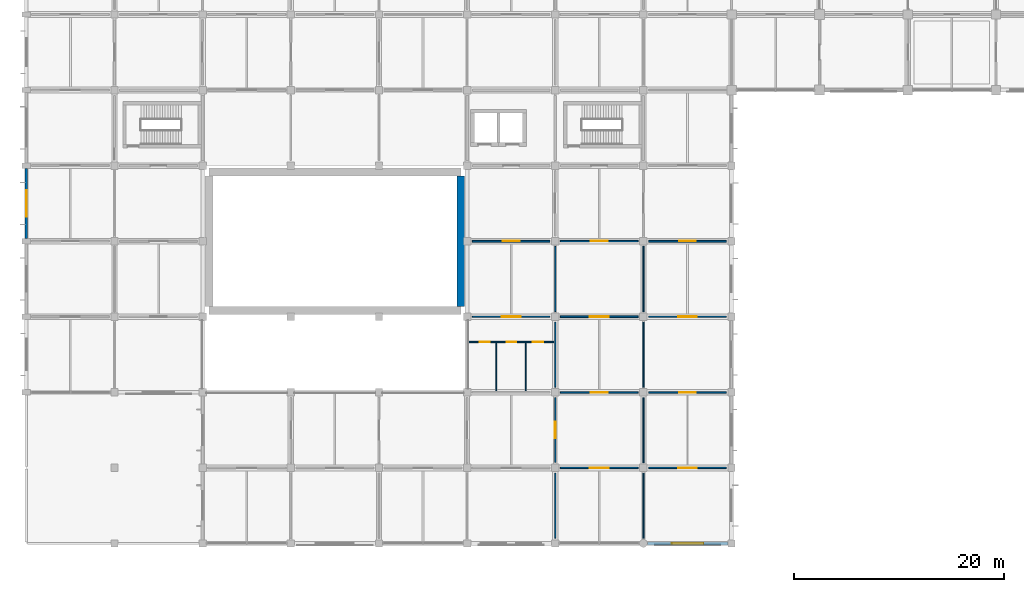
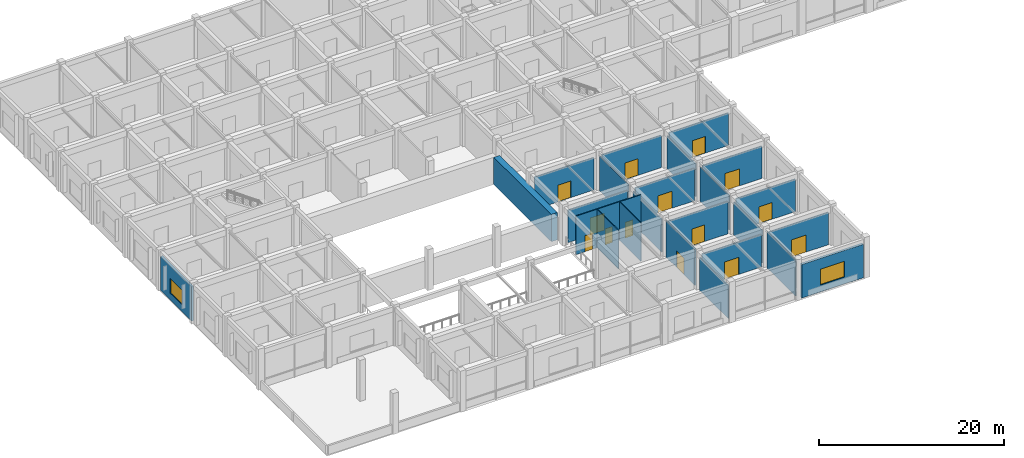
# One storey, part 19 of 41: 24 walls, 14 doors, 2 windows, 16 openings.
"""IFC4 building model written with IfcOpenShell, lengths in metres."""

from ifc_helpers import new_model, si_unit, derived_unit, direction, frame, frame_2d, origin, place, context, subcontext, project, spatial, rectangle, extrude, material, layer, layer_set, type_object, element, fill, save


model = new_model("IFC4")

# Units and contexts
model_context = context("Model", 3, precision=1e-05, world=origin(), true_north=direction((0.0, 1.0)))
body_context = subcontext(model_context, "Body", "Model", "MODEL_VIEW")
ifc_project = project(units=[si_unit("LENGTHUNIT", "METRE"), si_unit("AREAUNIT", "SQUARE_METRE"), si_unit("VOLUMEUNIT", "CUBIC_METRE"), si_unit("PLANEANGLEUNIT", "RADIAN"), si_unit("MASSUNIT", "GRAM", prefix="KILO"), derived_unit("THERMALTRANSMITTANCEUNIT", [(si_unit("MASSUNIT", "GRAM", prefix="KILO"), 1), (si_unit("TIMEUNIT", "SECOND"), -3), (si_unit("THERMODYNAMICTEMPERATUREUNIT", "KELVIN"), -1)])], contexts=[model_context])

# Site, building, storey
site_placement = place(None, origin())
site = spatial("IfcSite", under=ifc_project, at=site_placement, CompositionType="ELEMENT")
building_placement = place(site_placement, origin())
building = spatial("IfcBuilding", under=site, at=building_placement, Name="Veldstrom Oceanarium and Marine Research Institute", CompositionType="ELEMENT")
storey_placement = place(building_placement, frame((0.0, 0.0, 6.0)))
storey = spatial("IfcBuildingStorey", under=building, at=storey_placement, Name="L01", CompositionType="ELEMENT", Elevation=6.0)

# Wall, opening, window
ifc_material_1 = material(Name="Masonry Cavity Wall", Category="masonry")
ifc_layer_1 = layer(ifc_material_1, 0.2900390625)
ifc_layer_set_1 = layer_set([ifc_layer_1], Name="ARC-WAL-EW2")
wall_type_1 = type_object("IfcWallType", Name="ARC-WAL-EW2", PredefinedType="SOLIDWALL", material=ifc_layer_set_1)
wall_1_placement = place(storey_placement, frame((59.175048828125, 0.0, 0.0), z_axis=(0.0, 0.0, 1.0), x_axis=(1.0, 0.0, 0.0)))
wall_1 = element("IfcWall", 1, at=wall_1_placement, inside=storey, type_object=wall_type_1, Name="Exterior Facade Wall EW2 L01-083", PredefinedType="SOLIDWALL", context=body_context, shape_type="SweptSolid", body=[
    extrude(rectangle(XDim=7.675048828125, YDim=0.2900390625, at=frame_2d((3.83740234375, 0.0))), origin(), (0.0, 0.0, 1.0), 4.419921875),
])
opening_1_placement = place(wall_1_placement, frame((2.33740234375, 0.0, 0.89990234375)))
opening_1 = element("IfcOpeningElement", 2, at=opening_1_placement, cuts=wall_1, Name="Opening W07", PredefinedType="OPENING", context=body_context, shape_type="SweptSolid", body=[
    extrude(rectangle(XDim=3.0, YDim=2.10009765625, at=frame_2d((1.5, 1.050048828125))), frame((0.0, 0.155029296875, 0.0), z_axis=(0.0, -1.0, 0.0), x_axis=(1.0, 0.0, 0.0)), (0.0, 0.0, 1.0), 0.31005859375),
])
ifc_material_2 = material(Name="Double Glazed Low-E IGU", Category="glass")
window_type_1 = type_object("IfcWindowType", Name="ARC-WIN-W07", PartitioningType="SINGLE_PANEL", PredefinedType="WINDOW", material=ifc_material_2)
window_1_placement = place(opening_1_placement, origin())
window_1 = element("IfcWindow", 3, at=window_1_placement, inside=storey, type_object=window_type_1, Name="Facade Window W07 L01-0052", OverallHeight=2.10009765625, OverallWidth=3.0, PartitioningType="SINGLE_PANEL", PredefinedType="WINDOW", context=body_context, shape_type="SweptSolid", body=[
    extrude(rectangle(XDim=3.0, YDim=2.10009765625, at=frame_2d((1.5, 1.050048828125))), frame((0.0, 0.030029296875, 0.0), z_axis=(0.0, -1.0, 0.0), x_axis=(1.0, 0.0, 0.0)), (0.0, 0.0, 1.0), 0.06005859375),
])
fill(opening_1, window_1)

ifc_material_3 = material(Name="Masonry Cavity Wall", Category="masonry")
ifc_layer_2 = layer(ifc_material_3, 0.25)
ifc_layer_set_2 = layer_set([ifc_layer_2], Name="ARC-WAL-EW5")
wall_type_2 = type_object("IfcWallType", Name="ARC-WAL-EW5", PredefinedType="SOLIDWALL", material=ifc_layer_set_2)
wall_2_placement = place(storey_placement, frame((0.0, 29.050048828125, 0.0), z_axis=(0.0, 0.0, 1.0), x_axis=(0.0, 1.0, 0.0)))
wall_2 = element("IfcWall", 4, at=wall_2_placement, inside=storey, type_object=wall_type_2, Name="Exterior Facade Wall EW5 L01-065", PredefinedType="SOLIDWALL", context=body_context, shape_type="SweptSolid", body=[
    extrude(rectangle(XDim=6.699951171875, YDim=0.25, at=frame_2d((3.35009765625, 0.0))), origin(), (0.0, 0.0, 1.0), 4.52001953125),
])
opening_2_placement = place(wall_2_placement, frame((2.074951171875, 0.0, 0.89990234375)))
opening_2 = element("IfcOpeningElement", 5, at=opening_2_placement, cuts=wall_2, Name="Opening W20", PredefinedType="OPENING", context=body_context, shape_type="SweptSolid", body=[
    extrude(rectangle(XDim=2.550048828125, YDim=1.949951171875, at=frame_2d((1.27490234375, 0.97509765625))), frame((0.0, 0.135009765625, 0.0), z_axis=(0.0, -1.0, 0.0), x_axis=(1.0, 0.0, 0.0)), (0.0, 0.0, 1.0), 0.27001953125),
])
ifc_material_4 = material(Name="Double Glazed Low-E IGU", Category="glass")
window_type_2 = type_object("IfcWindowType", Name="ARC-WIN-W20", PartitioningType="SINGLE_PANEL", PredefinedType="WINDOW", material=ifc_material_4)
window_2_placement = place(opening_2_placement, origin())
window_2 = element("IfcWindow", 6, at=window_2_placement, inside=storey, type_object=window_type_2, Name="Facade Window W20 L01-0037", OverallHeight=1.949951171875, OverallWidth=2.550048828125, PartitioningType="SINGLE_PANEL", PredefinedType="WINDOW", context=body_context, shape_type="SweptSolid", body=[
    extrude(rectangle(XDim=2.550048828125, YDim=1.949951171875, at=frame_2d((1.27490234375, 0.97509765625))), frame((0.0, 0.030029296875, 0.0), z_axis=(0.0, -1.0, 0.0), x_axis=(1.0, 0.0, 0.0)), (0.0, 0.0, 1.0), 0.06005859375),
])
fill(opening_2, window_2)

# Wall, opening, door
ifc_material_5 = material(Name="Drywall Corridor Partition", Category="gypsum")
ifc_layer_3 = layer(ifc_material_5, 0.155029296875)
ifc_layer_set_3 = layer_set([ifc_layer_3], Name="ARC-WAL-PT4")
wall_type_3 = type_object("IfcWallType", Name="ARC-WAL-PT4", PredefinedType="PARTITIONING", material=ifc_layer_set_3)
wall_3_placement = place(storey_placement, frame((50.39990234375, 7.699951171875, 0.0), z_axis=(0.0, 0.0, 1.0), x_axis=(0.0, 1.0, 0.0)))
wall_3 = element("IfcWall", 7, at=wall_3_placement, inside=storey, type_object=wall_type_3, Name="Interior Partition PT4 L01-0894", PredefinedType="PARTITIONING", context=body_context, shape_type="SweptSolid", body=[
    extrude(rectangle(XDim=6.199951171875, YDim=0.155029296875, at=frame_2d((3.10009765625, 0.0))), origin(), (0.0, 0.0, 1.0), 4.780029296875),
])
opening_3_placement = place(wall_3_placement, frame((2.300048828125, 0.0, 0.0)))
opening_3 = element("IfcOpeningElement", 8, at=opening_3_placement, cuts=wall_3, Name="Opening D-L01-517", PredefinedType="OPENING", context=body_context, shape_type="SweptSolid", body=[
    extrude(rectangle(XDim=1.60009765625, YDim=2.199951171875, at=frame_2d((0.800048828125, 1.10009765625))), frame((0.0, 0.08740234375, 0.0), z_axis=(0.0, -1.0, 0.0), x_axis=(1.0, 0.0, 0.0)), (0.0, 0.0, 1.0), 0.175048828125),
])
ifc_material_6 = material(Name="Acoustic Timber Corridor Door", Category="wood")
door_type_1 = type_object("IfcDoorType", Name="ARC-DOR-ID02", OperationType="DOUBLE_DOOR_SINGLE_SWING", PredefinedType="DOOR", material=ifc_material_6)
door_1_placement = place(opening_3_placement, origin())
door_1 = element("IfcDoor", 9, at=door_1_placement, inside=storey, type_object=door_type_1, Name="Interior Door D-L01-517", OperationType="DOUBLE_DOOR_SINGLE_SWING", OverallHeight=2.199951171875, OverallWidth=1.60009765625, PredefinedType="DOOR", context=body_context, shape_type="SweptSolid", body=[
    extrude(rectangle(XDim=1.60009765625, YDim=2.199951171875, at=frame_2d((0.800048828125, 1.10009765625))), frame((0.0, 0.02490234375, 0.0), z_axis=(0.0, -1.0, 0.0), x_axis=(1.0, 0.0, 0.0)), (0.0, 0.0, 1.0), 0.050048828125),
])
fill(opening_3, door_1)

wall_4_placement = place(storey_placement, frame((42.5, 28.800048828125, 0.0), z_axis=(0.0, 0.0, 1.0), x_axis=(1.0, 0.0, 0.0)))
wall_4 = element("IfcWall", 10, at=wall_4_placement, inside=storey, type_object=wall_type_3, Name="Interior Partition PT4 L01-0899", PredefinedType="PARTITIONING", context=body_context, shape_type="SweptSolid", body=[
    extrude(rectangle(XDim=7.39990234375, YDim=0.155029296875, at=frame_2d((3.699951171875, 0.0))), origin(), (0.0, 0.0, 1.0), 4.27001953125),
])
opening_4_placement = place(wall_4_placement, frame((2.89990234375, 0.0, 0.0)))
opening_4 = element("IfcOpeningElement", 11, at=opening_4_placement, cuts=wall_4, Name="Opening D-L01-519", PredefinedType="OPENING", context=body_context, shape_type="SweptSolid", body=[
    extrude(rectangle(XDim=1.60009765625, YDim=2.199951171875, at=frame_2d((0.800048828125, 1.10009765625))), frame((0.0, 0.08740234375, 0.0), z_axis=(0.0, -1.0, 0.0), x_axis=(1.0, 0.0, 0.0)), (0.0, 0.0, 1.0), 0.175048828125),
])
door_2_placement = place(opening_4_placement, frame((1.60009765625, 0.0, 0.0), z_axis=(0.0, 0.0, 1.0), x_axis=(-1.0, 0.0, 0.0)))
door_2 = element("IfcDoor", 12, at=door_2_placement, inside=storey, type_object=door_type_1, Name="Interior Door D-L01-519", OperationType="DOUBLE_DOOR_SINGLE_SWING", OverallHeight=2.199951171875, OverallWidth=1.60009765625, PredefinedType="DOOR", context=body_context, shape_type="SweptSolid", body=[
    extrude(rectangle(XDim=1.60009765625, YDim=2.199951171875, at=frame_2d((0.800048828125, 1.10009765625))), frame((0.0, 0.02490234375, 0.0), z_axis=(0.0, -1.0, 0.0), x_axis=(1.0, 0.0, 0.0)), (0.0, 0.0, 1.0), 0.050048828125),
])
fill(opening_4, door_2)

wall_5_placement = place(storey_placement, frame((50.89990234375, 7.199951171875, 0.0), z_axis=(0.0, 0.0, 1.0), x_axis=(1.0, 0.0, 0.0)))
wall_5 = element("IfcWall", 13, at=wall_5_placement, inside=storey, type_object=wall_type_3, Name="Interior Partition PT4 L01-0912", PredefinedType="PARTITIONING", context=body_context, shape_type="SweptSolid", body=[
    extrude(rectangle(XDim=7.400146484375, YDim=0.155029296875, at=frame_2d((3.7001953125, 0.0))), origin(), (0.0, 0.0, 1.0), 4.27001953125),
])
opening_5_placement = place(wall_5_placement, frame((2.800048828125, 0.0, 0.0)))
opening_5 = element("IfcOpeningElement", 14, at=opening_5_placement, cuts=wall_5, Name="Opening D-L01-526", PredefinedType="OPENING", context=body_context, shape_type="SweptSolid", body=[
    extrude(rectangle(XDim=1.800048828125, YDim=2.25, at=frame_2d((0.89990234375, 1.125))), frame((0.0, 0.08740234375, 0.0), z_axis=(0.0, -1.0, 0.0), x_axis=(1.0, 0.0, 0.0)), (0.0, 0.0, 1.0), 0.175048828125),
])
ifc_material_7 = material(Name="Acoustic Timber Gallery Door", Category="wood")
door_type_2 = type_object("IfcDoorType", Name="ARC-DOR-ID01", OperationType="DOUBLE_DOOR_SINGLE_SWING", PredefinedType="DOOR", material=ifc_material_7)
door_3_placement = place(opening_5_placement, frame((1.800048828125, 0.0, 0.0), z_axis=(0.0, 0.0, 1.0), x_axis=(-1.0, 0.0, 0.0)))
door_3 = element("IfcDoor", 15, at=door_3_placement, inside=storey, type_object=door_type_2, Name="Interior Door D-L01-526", OperationType="DOUBLE_DOOR_SINGLE_SWING", OverallHeight=2.25, OverallWidth=1.800048828125, PredefinedType="DOOR", context=body_context, shape_type="SweptSolid", body=[
    extrude(rectangle(XDim=1.800048828125, YDim=2.25, at=frame_2d((0.89990234375, 1.125))), frame((0.0, 0.02490234375, 0.0), z_axis=(0.0, -1.0, 0.0), x_axis=(1.0, 0.0, 0.0)), (0.0, 0.0, 1.0), 0.050048828125),
])
fill(opening_5, door_3)

wall_6_placement = place(storey_placement, frame((50.89990234375, 21.60009765625, 0.0), z_axis=(0.0, 0.0, 1.0), x_axis=(1.0, 0.0, 0.0)))
wall_6 = element("IfcWall", 16, at=wall_6_placement, inside=storey, type_object=wall_type_3, Name="Interior Partition PT4 L01-0916", PredefinedType="PARTITIONING", context=body_context, shape_type="SweptSolid", body=[
    extrude(rectangle(XDim=7.400146484375, YDim=0.155029296875, at=frame_2d((3.7001953125, 0.0))), origin(), (0.0, 0.0, 1.0), 4.27001953125),
])
opening_6_placement = place(wall_6_placement, frame((2.800048828125, 0.0, 0.0)))
opening_6 = element("IfcOpeningElement", 17, at=opening_6_placement, cuts=wall_6, Name="Opening D-L01-528", PredefinedType="OPENING", context=body_context, shape_type="SweptSolid", body=[
    extrude(rectangle(XDim=1.800048828125, YDim=2.25, at=frame_2d((0.89990234375, 1.125))), frame((0.0, 0.08740234375, 0.0), z_axis=(0.0, -1.0, 0.0), x_axis=(1.0, 0.0, 0.0)), (0.0, 0.0, 1.0), 0.175048828125),
])
door_4_placement = place(opening_6_placement, frame((1.800048828125, 0.0, 0.0), z_axis=(0.0, 0.0, 1.0), x_axis=(-1.0, 0.0, 0.0)))
door_4 = element("IfcDoor", 18, at=door_4_placement, inside=storey, type_object=door_type_2, Name="Interior Door D-L01-528", OperationType="DOUBLE_DOOR_SINGLE_SWING", OverallHeight=2.25, OverallWidth=1.800048828125, PredefinedType="DOOR", context=body_context, shape_type="SweptSolid", body=[
    extrude(rectangle(XDim=1.800048828125, YDim=2.25, at=frame_2d((0.89990234375, 1.125))), frame((0.0, 0.02490234375, 0.0), z_axis=(0.0, -1.0, 0.0), x_axis=(1.0, 0.0, 0.0)), (0.0, 0.0, 1.0), 0.050048828125),
])
fill(opening_6, door_4)

wall_7_placement = place(storey_placement, frame((59.300048828125, 14.39990234375, 0.0), z_axis=(0.0, 0.0, 1.0), x_axis=(1.0, 0.0, 0.0)))
wall_7 = element("IfcWall", 19, at=wall_7_placement, inside=storey, type_object=wall_type_3, Name="Interior Partition PT4 L01-0931", PredefinedType="PARTITIONING", context=body_context, shape_type="SweptSolid", body=[
    extrude(rectangle(XDim=7.39990234375, YDim=0.155029296875, at=frame_2d((3.699951171875, 0.0))), origin(), (0.0, 0.0, 1.0), 4.27001953125),
])
opening_7_placement = place(wall_7_placement, frame((2.89990234375, 0.0, 0.0)))
opening_7 = element("IfcOpeningElement", 20, at=opening_7_placement, cuts=wall_7, Name="Opening D-L01-537", PredefinedType="OPENING", context=body_context, shape_type="SweptSolid", body=[
    extrude(rectangle(XDim=1.60009765625, YDim=2.199951171875, at=frame_2d((0.800048828125, 1.10009765625))), frame((0.0, 0.08740234375, 0.0), z_axis=(0.0, -1.0, 0.0), x_axis=(1.0, 0.0, 0.0)), (0.0, 0.0, 1.0), 0.175048828125),
])
door_5_placement = place(opening_7_placement, frame((1.60009765625, 0.0, 0.0), z_axis=(0.0, 0.0, 1.0), x_axis=(-1.0, 0.0, 0.0)))
door_5 = element("IfcDoor", 21, at=door_5_placement, inside=storey, type_object=door_type_1, Name="Interior Door D-L01-537", OperationType="DOUBLE_DOOR_SINGLE_SWING", OverallHeight=2.199951171875, OverallWidth=1.60009765625, PredefinedType="DOOR", context=body_context, shape_type="SweptSolid", body=[
    extrude(rectangle(XDim=1.60009765625, YDim=2.199951171875, at=frame_2d((0.800048828125, 1.10009765625))), frame((0.0, 0.02490234375, 0.0), z_axis=(0.0, -1.0, 0.0), x_axis=(1.0, 0.0, 0.0)), (0.0, 0.0, 1.0), 0.050048828125),
])
fill(opening_7, door_5)

wall_8_placement = place(storey_placement, frame((59.300048828125, 28.800048828125, 0.0), z_axis=(0.0, 0.0, 1.0), x_axis=(1.0, 0.0, 0.0)))
wall_8 = element("IfcWall", 22, at=wall_8_placement, inside=storey, type_object=wall_type_3, Name="Interior Partition PT4 L01-0933", PredefinedType="PARTITIONING", context=body_context, shape_type="SweptSolid", body=[
    extrude(rectangle(XDim=7.39990234375, YDim=0.155029296875, at=frame_2d((3.699951171875, 0.0))), origin(), (0.0, 0.0, 1.0), 4.27001953125),
])
opening_8_placement = place(wall_8_placement, frame((2.89990234375, 0.0, 0.0)))
opening_8 = element("IfcOpeningElement", 23, at=opening_8_placement, cuts=wall_8, Name="Opening D-L01-539", PredefinedType="OPENING", context=body_context, shape_type="SweptSolid", body=[
    extrude(rectangle(XDim=1.60009765625, YDim=2.199951171875, at=frame_2d((0.800048828125, 1.10009765625))), frame((0.0, 0.08740234375, 0.0), z_axis=(0.0, -1.0, 0.0), x_axis=(1.0, 0.0, 0.0)), (0.0, 0.0, 1.0), 0.175048828125),
])
door_6_placement = place(opening_8_placement, frame((1.60009765625, 0.0, 0.0), z_axis=(0.0, 0.0, 1.0), x_axis=(-1.0, 0.0, 0.0)))
door_6 = element("IfcDoor", 24, at=door_6_placement, inside=storey, type_object=door_type_1, Name="Interior Door D-L01-539", OperationType="DOUBLE_DOOR_SINGLE_SWING", OverallHeight=2.199951171875, OverallWidth=1.60009765625, PredefinedType="DOOR", context=body_context, shape_type="SweptSolid", body=[
    extrude(rectangle(XDim=1.60009765625, YDim=2.199951171875, at=frame_2d((0.800048828125, 1.10009765625))), frame((0.0, 0.02490234375, 0.0), z_axis=(0.0, -1.0, 0.0), x_axis=(1.0, 0.0, 0.0)), (0.0, 0.0, 1.0), 0.050048828125),
])
fill(opening_8, door_6)

ifc_material_8 = material(Name="Moisture-Resistant Wet-Area Partition", Category="masonry")
ifc_layer_4 = layer(ifc_material_8, 0.139892578125)
ifc_layer_set_4 = layer_set([ifc_layer_4], Name="ARC-WAL-PT5")
wall_type_4 = type_object("IfcWallType", Name="ARC-WAL-PT5", PredefinedType="PARTITIONING", material=ifc_layer_set_4)
wall_9_placement = place(storey_placement, frame((42.5, 21.60009765625, 0.0), z_axis=(0.0, 0.0, 1.0), x_axis=(1.0, 0.0, 0.0)))
wall_9 = element("IfcWall", 25, at=wall_9_placement, inside=storey, type_object=wall_type_4, Name="Interior Partition PT5 L01-0897", PredefinedType="PARTITIONING", context=body_context, shape_type="SweptSolid", body=[
    extrude(rectangle(XDim=7.39990234375, YDim=0.139892578125, at=frame_2d((3.699951171875, 0.0))), origin(), (0.0, 0.0, 1.0), 4.27001953125),
])
opening_9_placement = place(wall_9_placement, frame((2.800048828125, 0.0, 0.0)))
opening_9 = element("IfcOpeningElement", 26, at=opening_9_placement, cuts=wall_9, Name="Opening D-L01-518", PredefinedType="OPENING", context=body_context, shape_type="SweptSolid", body=[
    extrude(rectangle(XDim=1.800048828125, YDim=2.25, at=frame_2d((0.89990234375, 1.125))), frame((0.0, 0.079833984375, 0.0), z_axis=(0.0, -1.0, 0.0), x_axis=(1.0, 0.0, 0.0)), (0.0, 0.0, 1.0), 0.159912109375),
])
door_7_placement = place(opening_9_placement, frame((1.800048828125, 0.0, 0.0), z_axis=(0.0, 0.0, 1.0), x_axis=(-1.0, 0.0, 0.0)))
door_7 = element("IfcDoor", 27, at=door_7_placement, inside=storey, type_object=door_type_2, Name="Interior Door D-L01-518", OperationType="DOUBLE_DOOR_SINGLE_SWING", OverallHeight=2.25, OverallWidth=1.800048828125, PredefinedType="DOOR", context=body_context, shape_type="SweptSolid", body=[
    extrude(rectangle(XDim=1.800048828125, YDim=2.25, at=frame_2d((0.89990234375, 1.125))), frame((0.0, 0.02490234375, 0.0), z_axis=(0.0, -1.0, 0.0), x_axis=(1.0, 0.0, 0.0)), (0.0, 0.0, 1.0), 0.050048828125),
])
fill(opening_9, door_7)

wall_10_placement = place(storey_placement, frame((50.89990234375, 14.39990234375, 0.0), z_axis=(0.0, 0.0, 1.0), x_axis=(1.0, 0.0, 0.0)))
wall_10 = element("IfcWall", 28, at=wall_10_placement, inside=storey, type_object=wall_type_4, Name="Interior Partition PT5 L01-0914", PredefinedType="PARTITIONING", context=body_context, shape_type="SweptSolid", body=[
    extrude(rectangle(XDim=7.400146484375, YDim=0.139892578125, at=frame_2d((3.7001953125, 0.0))), origin(), (0.0, 0.0, 1.0), 4.27001953125),
])
opening_10_placement = place(wall_10_placement, frame((2.89990234375, 0.0, 0.0)))
opening_10 = element("IfcOpeningElement", 29, at=opening_10_placement, cuts=wall_10, Name="Opening D-L01-527", PredefinedType="OPENING", context=body_context, shape_type="SweptSolid", body=[
    extrude(rectangle(XDim=1.60009765625, YDim=2.199951171875, at=frame_2d((0.800048828125, 1.10009765625))), frame((0.0, 0.079833984375, 0.0), z_axis=(0.0, -1.0, 0.0), x_axis=(1.0, 0.0, 0.0)), (0.0, 0.0, 1.0), 0.159912109375),
])
door_8_placement = place(opening_10_placement, origin())
door_8 = element("IfcDoor", 30, at=door_8_placement, inside=storey, type_object=door_type_1, Name="Interior Door D-L01-527", OperationType="DOUBLE_DOOR_SINGLE_SWING", OverallHeight=2.199951171875, OverallWidth=1.60009765625, PredefinedType="DOOR", context=body_context, shape_type="SweptSolid", body=[
    extrude(rectangle(XDim=1.60009765625, YDim=2.199951171875, at=frame_2d((0.800048828125, 1.10009765625))), frame((0.0, 0.02490234375, 0.0), z_axis=(0.0, -1.0, 0.0), x_axis=(1.0, 0.0, 0.0)), (0.0, 0.0, 1.0), 0.050048828125),
])
fill(opening_10, door_8)

wall_11_placement = place(storey_placement, frame((50.89990234375, 28.800048828125, 0.0), z_axis=(0.0, 0.0, 1.0), x_axis=(1.0, 0.0, 0.0)))
wall_11 = element("IfcWall", 31, at=wall_11_placement, inside=storey, type_object=wall_type_4, Name="Interior Partition PT5 L01-0918", PredefinedType="PARTITIONING", context=body_context, shape_type="SweptSolid", body=[
    extrude(rectangle(XDim=7.400146484375, YDim=0.139892578125, at=frame_2d((3.7001953125, 0.0))), origin(), (0.0, 0.0, 1.0), 4.27001953125),
])
opening_11_placement = place(wall_11_placement, frame((2.89990234375, 0.0, 0.0)))
opening_11 = element("IfcOpeningElement", 32, at=opening_11_placement, cuts=wall_11, Name="Opening D-L01-529", PredefinedType="OPENING", context=body_context, shape_type="SweptSolid", body=[
    extrude(rectangle(XDim=1.60009765625, YDim=2.199951171875, at=frame_2d((0.800048828125, 1.10009765625))), frame((0.0, 0.079833984375, 0.0), z_axis=(0.0, -1.0, 0.0), x_axis=(1.0, 0.0, 0.0)), (0.0, 0.0, 1.0), 0.159912109375),
])
door_9_placement = place(opening_11_placement, origin())
door_9 = element("IfcDoor", 33, at=door_9_placement, inside=storey, type_object=door_type_1, Name="Interior Door D-L01-529", OperationType="DOUBLE_DOOR_SINGLE_SWING", OverallHeight=2.199951171875, OverallWidth=1.60009765625, PredefinedType="DOOR", context=body_context, shape_type="SweptSolid", body=[
    extrude(rectangle(XDim=1.60009765625, YDim=2.199951171875, at=frame_2d((0.800048828125, 1.10009765625))), frame((0.0, 0.02490234375, 0.0), z_axis=(0.0, -1.0, 0.0), x_axis=(1.0, 0.0, 0.0)), (0.0, 0.0, 1.0), 0.050048828125),
])
fill(opening_11, door_9)

wall_12_placement = place(storey_placement, frame((59.300048828125, 7.199951171875, 0.0), z_axis=(0.0, 0.0, 1.0), x_axis=(1.0, 0.0, 0.0)))
wall_12 = element("IfcWall", 34, at=wall_12_placement, inside=storey, type_object=wall_type_4, Name="Interior Partition PT5 L01-0930", PredefinedType="PARTITIONING", context=body_context, shape_type="SweptSolid", body=[
    extrude(rectangle(XDim=7.39990234375, YDim=0.139892578125, at=frame_2d((3.699951171875, 0.0))), origin(), (0.0, 0.0, 1.0), 4.27001953125),
])
opening_12_placement = place(wall_12_placement, frame((2.800048828125, 0.0, 0.0)))
opening_12 = element("IfcOpeningElement", 35, at=opening_12_placement, cuts=wall_12, Name="Opening D-L01-536", PredefinedType="OPENING", context=body_context, shape_type="SweptSolid", body=[
    extrude(rectangle(XDim=1.800048828125, YDim=2.25, at=frame_2d((0.89990234375, 1.125))), frame((0.0, 0.079833984375, 0.0), z_axis=(0.0, -1.0, 0.0), x_axis=(1.0, 0.0, 0.0)), (0.0, 0.0, 1.0), 0.159912109375),
])
door_10_placement = place(opening_12_placement, origin())
door_10 = element("IfcDoor", 36, at=door_10_placement, inside=storey, type_object=door_type_2, Name="Interior Door D-L01-536", OperationType="DOUBLE_DOOR_SINGLE_SWING", OverallHeight=2.25, OverallWidth=1.800048828125, PredefinedType="DOOR", context=body_context, shape_type="SweptSolid", body=[
    extrude(rectangle(XDim=1.800048828125, YDim=2.25, at=frame_2d((0.89990234375, 1.125))), frame((0.0, 0.02490234375, 0.0), z_axis=(0.0, -1.0, 0.0), x_axis=(1.0, 0.0, 0.0)), (0.0, 0.0, 1.0), 0.050048828125),
])
fill(opening_12, door_10)

wall_13_placement = place(storey_placement, frame((59.300048828125, 21.60009765625, 0.0), z_axis=(0.0, 0.0, 1.0), x_axis=(1.0, 0.0, 0.0)))
wall_13 = element("IfcWall", 37, at=wall_13_placement, inside=storey, type_object=wall_type_4, Name="Interior Partition PT5 L01-0932", PredefinedType="PARTITIONING", context=body_context, shape_type="SweptSolid", body=[
    extrude(rectangle(XDim=7.39990234375, YDim=0.139892578125, at=frame_2d((3.699951171875, 0.0))), origin(), (0.0, 0.0, 1.0), 4.27001953125),
])
opening_13_placement = place(wall_13_placement, frame((2.800048828125, 0.0, 0.0)))
opening_13 = element("IfcOpeningElement", 38, at=opening_13_placement, cuts=wall_13, Name="Opening D-L01-538", PredefinedType="OPENING", context=body_context, shape_type="SweptSolid", body=[
    extrude(rectangle(XDim=1.800048828125, YDim=2.25, at=frame_2d((0.89990234375, 1.125))), frame((0.0, 0.079833984375, 0.0), z_axis=(0.0, -1.0, 0.0), x_axis=(1.0, 0.0, 0.0)), (0.0, 0.0, 1.0), 0.159912109375),
])
door_11_placement = place(opening_13_placement, origin())
door_11 = element("IfcDoor", 39, at=door_11_placement, inside=storey, type_object=door_type_2, Name="Interior Door D-L01-538", OperationType="DOUBLE_DOOR_SINGLE_SWING", OverallHeight=2.25, OverallWidth=1.800048828125, PredefinedType="DOOR", context=body_context, shape_type="SweptSolid", body=[
    extrude(rectangle(XDim=1.800048828125, YDim=2.25, at=frame_2d((0.89990234375, 1.125))), frame((0.0, 0.02490234375, 0.0), z_axis=(0.0, -1.0, 0.0), x_axis=(1.0, 0.0, 0.0)), (0.0, 0.0, 1.0), 0.050048828125),
])
fill(opening_13, door_11)

# Wall, openings, doors
ifc_material_9 = material(Name="Lightweight Studio Partition", Category="gypsum")
ifc_layer_5 = layer(ifc_material_9, 0.1201171875)
ifc_layer_set_5 = layer_set([ifc_layer_5], Name="ARC-WAL-PT6")
wall_type_5 = type_object("IfcWallType", Name="ARC-WAL-PT6", PredefinedType="PARTITIONING", material=ifc_layer_set_5)
wall_14_placement = place(storey_placement, frame((42.14990234375, 19.199951171875, 0.0), z_axis=(0.0, 0.0, 1.0), x_axis=(1.0, 0.0, 0.0)))
wall_14 = element("IfcWall", 40, at=wall_14_placement, inside=storey, type_object=wall_type_5, Name="Sanitary Vestibule Partition L01-5", PredefinedType="PARTITIONING", context=body_context, shape_type="SweptSolid", body=[
    extrude(rectangle(XDim=8.10009765625, YDim=0.1201171875, at=frame_2d((4.050048828125, 0.0))), origin(), (0.0, 0.0, 1.0), 5.074951171875),
])
opening_14_placement = place(wall_14_placement, frame((1.080078125, 0.0, 0.0)))
opening_14 = element("IfcOpeningElement", 41, at=opening_14_placement, cuts=wall_14, Name="Opening D-L01-WC477", PredefinedType="OPENING", context=body_context, shape_type="SweptSolid", body=[
    extrude(rectangle(XDim=0.949951171875, YDim=2.10009765625, at=frame_2d((0.47509765625, 1.050048828125))), frame((0.0, 0.070068359375, 0.0), z_axis=(0.0, -1.0, 0.0), x_axis=(1.0, 0.0, 0.0)), (0.0, 0.0, 1.0), 0.14013671875),
])
opening_15_placement = place(wall_14_placement, frame((3.6298828125, 0.0, 0.0)))
opening_15 = element("IfcOpeningElement", 42, at=opening_15_placement, cuts=wall_14, Name="Opening D-L01-WC478", PredefinedType="OPENING", context=body_context, shape_type="SweptSolid", body=[
    extrude(rectangle(XDim=0.89990234375, YDim=2.10009765625, at=frame_2d((0.449951171875, 1.050048828125))), frame((0.0, 0.070068359375, 0.0), z_axis=(0.0, -1.0, 0.0), x_axis=(1.0, 0.0, 0.0)), (0.0, 0.0, 1.0), 0.14013671875),
])
opening_16_placement = place(wall_14_placement, frame((6.1298828125, 0.0, 0.0)))
opening_16 = element("IfcOpeningElement", 43, at=opening_16_placement, cuts=wall_14, Name="Opening D-L01-WC479", PredefinedType="OPENING", context=body_context, shape_type="SweptSolid", body=[
    extrude(rectangle(XDim=1.0, YDim=2.10009765625, at=frame_2d((0.5, 1.050048828125))), frame((0.0, 0.070068359375, 0.0), z_axis=(0.0, -1.0, 0.0), x_axis=(1.0, 0.0, 0.0)), (0.0, 0.0, 1.0), 0.14013671875),
])
ifc_material_10 = material(Name="Accessible Sanitary Door", Category="timber")
door_type_3 = type_object("IfcDoorType", Name="ARC-DOR-ID08", OperationType="SINGLE_SWING_RIGHT", PredefinedType="DOOR", material=ifc_material_10)
door_12_placement = place(opening_16_placement, frame((1.0, 0.0, 0.0), z_axis=(0.0, 0.0, 1.0), x_axis=(-1.0, 0.0, 0.0)))
door_12 = element("IfcDoor", 44, at=door_12_placement, inside=storey, type_object=door_type_3, Name="Accessible WC Door D-L01-WC479", OperationType="SINGLE_SWING_RIGHT", OverallHeight=2.10009765625, OverallWidth=1.0, PredefinedType="DOOR", context=body_context, shape_type="SweptSolid", body=[
    extrude(rectangle(XDim=1.0, YDim=2.10009765625, at=frame_2d((0.5, 1.050048828125))), frame((0.0, 0.02490234375, 0.0), z_axis=(0.0, -1.0, 0.0), x_axis=(1.0, 0.0, 0.0)), (0.0, 0.0, 1.0), 0.050048828125),
])
fill(opening_16, door_12)
ifc_material_11 = material(Name="Staff Sanitary Door", Category="timber")
door_type_4 = type_object("IfcDoorType", Name="ARC-DOR-ID09", OperationType="SINGLE_SWING_LEFT", PredefinedType="DOOR", material=ifc_material_11)
door_13_placement = place(opening_14_placement, frame((0.949951171875, 0.0, 0.0), z_axis=(0.0, 0.0, 1.0), x_axis=(-1.0, 0.0, 0.0)))
door_13 = element("IfcDoor", 45, at=door_13_placement, inside=storey, type_object=door_type_4, Name="Male WC Door D-L01-WC477", OperationType="SINGLE_SWING_RIGHT", OverallHeight=2.10009765625, OverallWidth=0.949951171875, PredefinedType="DOOR", context=body_context, shape_type="SweptSolid", body=[
    extrude(rectangle(XDim=0.949951171875, YDim=2.10009765625, at=frame_2d((0.47509765625, 1.050048828125))), frame((0.0, 0.02490234375, 0.0), z_axis=(0.0, -1.0, 0.0), x_axis=(1.0, 0.0, 0.0)), (0.0, 0.0, 1.0), 0.050048828125),
])
fill(opening_14, door_13)
ifc_material_12 = material(Name="Internal Sanitary Door", Category="timber")
door_type_5 = type_object("IfcDoorType", Name="ARC-DOR-ID10", OperationType="SINGLE_SWING_RIGHT", PredefinedType="DOOR", material=ifc_material_12)
door_14_placement = place(opening_15_placement, frame((0.89990234375, 0.0, 0.0), z_axis=(0.0, 0.0, 1.0), x_axis=(-1.0, 0.0, 0.0)))
door_14 = element("IfcDoor", 46, at=door_14_placement, inside=storey, type_object=door_type_5, Name="Female WC Door D-L01-WC478", OperationType="SINGLE_SWING_LEFT", OverallHeight=2.10009765625, OverallWidth=0.89990234375, PredefinedType="DOOR", context=body_context, shape_type="SweptSolid", body=[
    extrude(rectangle(XDim=0.89990234375, YDim=2.10009765625, at=frame_2d((0.449951171875, 1.050048828125))), frame((0.0, 0.02490234375, 0.0), z_axis=(0.0, -1.0, 0.0), x_axis=(1.0, 0.0, 0.0)), (0.0, 0.0, 1.0), 0.050048828125),
])
fill(opening_15, door_14)

# Walls
wall_15_placement = place(storey_placement, frame((50.39990234375, 0.5, 0.0), z_axis=(0.0, 0.0, 1.0), x_axis=(0.0, 1.0, 0.0)))
element("IfcWall", 47, at=wall_15_placement, inside=storey, type_object=wall_type_5, Name="Interior Partition PT6 L01-0892", PredefinedType="PARTITIONING", context=body_context, shape_type="SweptSolid", body=[
    extrude(rectangle(XDim=6.199951171875, YDim=0.1201171875, at=frame_2d((3.10009765625, 0.0))), origin(), (0.0, 0.0, 1.0), 4.320068359375),
])
wall_16_placement = place(storey_placement, frame((50.39990234375, 14.89990234375, 0.0), z_axis=(0.0, 0.0, 1.0), x_axis=(0.0, 1.0, 0.0)))
element("IfcWall", 48, at=wall_16_placement, inside=storey, type_object=wall_type_5, Name="Interior Partition PT6 L01-0896", PredefinedType="PARTITIONING", context=body_context, shape_type="SweptSolid", body=[
    extrude(rectangle(XDim=6.2001953125, YDim=0.1201171875, at=frame_2d((3.10009765625, 0.0))), origin(), (0.0, 0.0, 1.0), 4.320068359375),
])
wall_17_placement = place(storey_placement, frame((50.39990234375, 22.10009765625, 0.0), z_axis=(0.0, 0.0, 1.0), x_axis=(0.0, 1.0, 0.0)))
element("IfcWall", 49, at=wall_17_placement, inside=storey, type_object=wall_type_5, Name="Interior Partition PT6 L01-0898", PredefinedType="PARTITIONING", context=body_context, shape_type="SweptSolid", body=[
    extrude(rectangle(XDim=6.199951171875, YDim=0.1201171875, at=frame_2d((3.10009765625, 0.0))), origin(), (0.0, 0.0, 1.0), 4.570068359375),
])
wall_18_placement = place(storey_placement, frame((58.800048828125, 0.5, 0.0), z_axis=(0.0, 0.0, 1.0), x_axis=(0.0, 1.0, 0.0)))
element("IfcWall", 50, at=wall_18_placement, inside=storey, type_object=wall_type_5, Name="Interior Partition PT6 L01-0911", PredefinedType="PARTITIONING", context=body_context, shape_type="SweptSolid", body=[
    extrude(rectangle(XDim=6.199951171875, YDim=0.1201171875, at=frame_2d((3.10009765625, 0.0))), origin(), (0.0, 0.0, 1.0), 4.780029296875),
])
wall_19_placement = place(storey_placement, frame((58.800048828125, 7.699951171875, 0.0), z_axis=(0.0, 0.0, 1.0), x_axis=(0.0, 1.0, 0.0)))
element("IfcWall", 51, at=wall_19_placement, inside=storey, type_object=wall_type_5, Name="Interior Partition PT6 L01-0913", PredefinedType="PARTITIONING", context=body_context, shape_type="SweptSolid", body=[
    extrude(rectangle(XDim=6.199951171875, YDim=0.1201171875, at=frame_2d((3.10009765625, 0.0))), origin(), (0.0, 0.0, 1.0), 4.320068359375),
])
wall_20_placement = place(storey_placement, frame((58.800048828125, 14.89990234375, 0.0), z_axis=(0.0, 0.0, 1.0), x_axis=(0.0, 1.0, 0.0)))
element("IfcWall", 52, at=wall_20_placement, inside=storey, type_object=wall_type_5, Name="Interior Partition PT6 L01-0915", PredefinedType="PARTITIONING", context=body_context, shape_type="SweptSolid", body=[
    extrude(rectangle(XDim=6.2001953125, YDim=0.1201171875, at=frame_2d((3.10009765625, 0.0))), origin(), (0.0, 0.0, 1.0), 4.570068359375),
])
wall_21_placement = place(storey_placement, frame((58.800048828125, 22.10009765625, 0.0), z_axis=(0.0, 0.0, 1.0), x_axis=(0.0, 1.0, 0.0)))
element("IfcWall", 53, at=wall_21_placement, inside=storey, type_object=wall_type_5, Name="Interior Partition PT6 L01-0917", PredefinedType="PARTITIONING", context=body_context, shape_type="SweptSolid", body=[
    extrude(rectangle(XDim=6.199951171875, YDim=0.1201171875, at=frame_2d((3.10009765625, 0.0))), origin(), (0.0, 0.0, 1.0), 4.320068359375),
])
ifc_material_13 = material(Name="Sanitary Cubicle Partition", Category="gypsum")
ifc_layer_6 = layer(ifc_material_13, 0.10009765625)
ifc_layer_set_6 = layer_set([ifc_layer_6], Name="ARC-WAL-PT7")
wall_type_6 = type_object("IfcWallType", Name="ARC-WAL-PT7", PredefinedType="PARTITIONING", material=ifc_layer_set_6)
for number, where, z_axis, x_axis, name in (
    (54, (44.800048828125, 14.550048828125, 0.0), (0.0, 0.0, 1.0), (0.0, 1.0, 0.0), "Sanitary Stall Divider Wall L01-0827"),
    (55, (47.60009765625, 14.550048828125, 0.0), (0.0, 0.0, 1.0), (0.0, 1.0, 0.0), "Sanitary Stall Divider Wall L01-0828"),
):
    element("IfcWall", number, at=place(storey_placement, frame(where, z_axis=z_axis, x_axis=x_axis)), inside=storey, type_object=wall_type_6, Name=name, PredefinedType="PARTITIONING", context=body_context, shape_type="SweptSolid", body=[
        extrude(rectangle(XDim=4.58984375, YDim=0.10009765625, at=frame_2d((2.294921875, 0.0))), origin(), (0.0, 0.0, 1.0), 5.074951171875),
    ])
ifc_material_14 = material(Name="Concrete C40/50", Category="concrete")
ifc_layer_7 = layer(ifc_material_14, 0.75)
ifc_layer_set_7 = layer_set([ifc_layer_7], Name="STR-WAL-WT2")
wall_type_7 = type_object("IfcWallType", Name="STR-WAL-WT2", PredefinedType="SOLIDWALL", material=ifc_layer_set_7)
wall_22_placement = place(storey_placement, frame((41.39990234375, 22.574951171875, 0.0), z_axis=(0.0, 0.0, 1.0), x_axis=(0.0, 1.0, 0.0)))
element("IfcWall", 56, at=wall_22_placement, inside=storey, type_object=wall_type_7, Name="Ocean Tank Waterproof RC Wall L01-E", PredefinedType="SOLIDWALL", context=body_context, shape_type="SweptSolid", body=[
    extrude(rectangle(XDim=12.449951171875, YDim=0.75, at=frame_2d((6.22509765625, 0.0))), origin(), (0.0, 0.0, 1.0), 3.60009765625),
])

save(model, "model.ifc")
